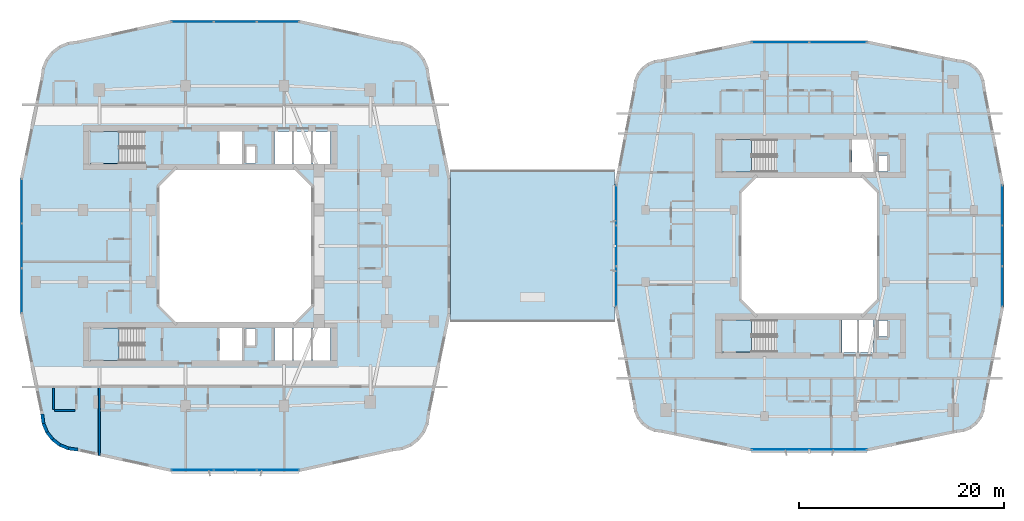
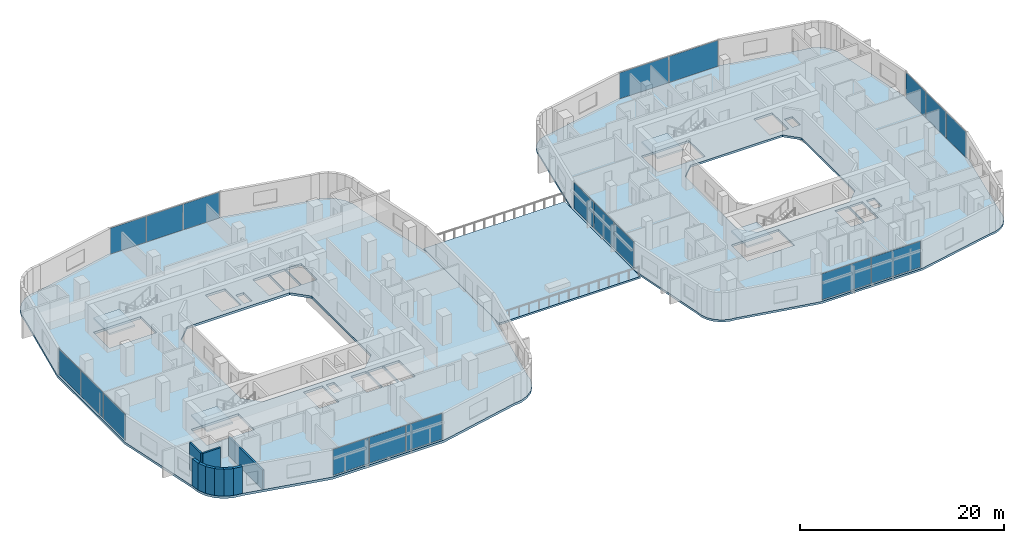
# One storey, part 11 of 25: 19 plates, 9 walls, 7 slabs, 11 elements without a shape of their own.
"""IFC4 building model written with IfcOpenShell, lengths in metres."""

from ifc_helpers import new_model, si_unit, derived_unit, direction, frame, frame_2d, origin, origin_2d, place, context, subcontext, project, spatial, polyline, rectangle, outline, extrude, material, layer, layer_set, type_object, element, aggregate, save


model = new_model("IFC4")

# Units and contexts
model_context = context("Model", 3, precision=1e-05, world=origin(), true_north=direction((0.0, 1.0)))
body_context = subcontext(model_context, "Body", "Model", "MODEL_VIEW")
ifc_project = project(units=[si_unit("LENGTHUNIT", "METRE"), si_unit("AREAUNIT", "SQUARE_METRE"), si_unit("VOLUMEUNIT", "CUBIC_METRE"), si_unit("PLANEANGLEUNIT", "RADIAN"), si_unit("MASSUNIT", "GRAM", prefix="KILO"), derived_unit("THERMALTRANSMITTANCEUNIT", [(si_unit("POWERUNIT", "WATT"), 1), (si_unit("LENGTHUNIT", "METRE"), -2), (si_unit("THERMODYNAMICTEMPERATUREUNIT", "KELVIN"), -1)])], contexts=[model_context])

# Site, building, storey
site_placement = place(None, origin())
site = spatial("IfcSite", under=ifc_project, at=site_placement, CompositionType="ELEMENT")
building_placement = place(site_placement, origin())
building = spatial("IfcBuilding", under=site, at=building_placement, Name="Kivonza Crest Hotel", CompositionType="ELEMENT")
storey_placement = place(building_placement, frame((0.0, 0.0, 24.0)))
storey = spatial("IfcBuildingStorey", under=building, at=storey_placement, Name="L05", CompositionType="ELEMENT", Elevation=24.0)

# Curtain wall, plates
ifc_material_1 = material(Name="Anodised bronze aluminium and low-E double glazing", Category="aluminium")
ifc_layer_1 = layer(ifc_material_1, 0.179931640625)
ifc_layer_set_1 = layer_set([ifc_layer_1], Name="Anodised bronze aluminium and low-E double glazing")
curtain_wall_type_1 = type_object("IfcCurtainWallType", Name="CW-SYS-2", PredefinedType="NOTDEFINED", material=ifc_layer_set_1)
curtain_wall_1_placement = place(storey_placement, origin())
curtain_wall_1 = element("IfcCurtainWall", 1, at=curtain_wall_1_placement, inside=storey, type_object=curtain_wall_type_1, Name="L05 unitised curtain wall CW-T1-L05-08", PredefinedType="NOTDEFINED")
ifc_material_2 = material(Name="Solar-control low-E double glazing", Category="glass")
ifc_layer_2 = layer(ifc_material_2, 0.028076171875)
ifc_layer_set_2 = layer_set([ifc_layer_2], Name="Solar-control low-E double glazing")
plate_type = type_object("IfcPlateType", Name="CW-PNL-28", PredefinedType="CURTAIN_PANEL", material=ifc_layer_set_2)
plate_1_placement = place(storey_placement, frame((16.890869140625, 3.159912109375, 0.06494140625), z_axis=(0.0, 0.0, 1.0), x_axis=(1.0, 0.0, 0.0)))
plate_1 = element("IfcPlate", 2, at=plate_1_placement, type_object=plate_type, Name="CW-2 panel 1.1", PredefinedType="CURTAIN_PANEL", context=body_context, shape_type="SweptSolid", body=[
    extrude(rectangle(XDim=4.06787109375, YDim=0.028076171875, at=origin_2d()), origin(), (0.0, 0.0, 1.0), 3.090087890625),
])
plate_2_placement = place(storey_placement, frame((21.0400390625, 3.159912109375, 0.06494140625), z_axis=(0.0, 0.0, 1.0), x_axis=(1.0, 0.0, 0.0)))
plate_2 = element("IfcPlate", 3, at=plate_2_placement, type_object=plate_type, Name="CW-2 panel 2.1", PredefinedType="CURTAIN_PANEL", context=body_context, shape_type="SweptSolid", body=[
    extrude(rectangle(XDim=4.100341796875, YDim=0.028076171875, at=origin_2d()), origin(), (0.0, 0.0, 1.0), 3.090087890625),
])
plate_3_placement = place(storey_placement, frame((25.18896484375, 3.159912109375, 0.06494140625), z_axis=(0.0, 0.0, 1.0), x_axis=(1.0, 0.0, 0.0)))
plate_3 = element("IfcPlate", 4, at=plate_3_placement, type_object=plate_type, Name="CW-2 panel 3.1", PredefinedType="CURTAIN_PANEL", context=body_context, shape_type="SweptSolid", body=[
    extrude(rectangle(XDim=4.06787109375, YDim=0.028076171875, at=origin_2d()), origin(), (0.0, 0.0, 1.0), 3.090087890625),
])
aggregate(curtain_wall_1, [plate_1, plate_2, plate_3])

curtain_wall_2_placement = place(storey_placement, origin())
curtain_wall_2 = element("IfcCurtainWall", 5, at=curtain_wall_2_placement, inside=storey, type_object=curtain_wall_type_1, Name="L05 unitised curtain wall CW-T1-L05-26", PredefinedType="NOTDEFINED")
plate_4_placement = place(storey_placement, frame((25.18896484375, 46.840087890625, 0.06494140625), z_axis=(0.0, 0.0, 1.0), x_axis=(-1.0, 0.0, 0.0)))
plate_4 = element("IfcPlate", 6, at=plate_4_placement, type_object=plate_type, Name="CW-2 panel 1.1", PredefinedType="CURTAIN_PANEL", context=body_context, shape_type="SweptSolid", body=[
    extrude(rectangle(XDim=4.06787109375, YDim=0.028076171875, at=origin_2d()), origin(), (0.0, 0.0, 1.0), 3.090087890625),
])
plate_5_placement = place(storey_placement, frame((21.0400390625, 46.840087890625, 0.06494140625), z_axis=(0.0, 0.0, 1.0), x_axis=(-1.0, 0.0, 0.0)))
plate_5 = element("IfcPlate", 7, at=plate_5_placement, type_object=plate_type, Name="CW-2 panel 2.1", PredefinedType="CURTAIN_PANEL", context=body_context, shape_type="SweptSolid", body=[
    extrude(rectangle(XDim=4.100341796875, YDim=0.028076171875, at=origin_2d()), origin(), (0.0, 0.0, 1.0), 3.090087890625),
])
plate_6_placement = place(storey_placement, frame((16.890869140625, 46.840087890625, 0.06494140625), z_axis=(0.0, 0.0, 1.0), x_axis=(-1.0, 0.0, 0.0)))
plate_6 = element("IfcPlate", 8, at=plate_6_placement, type_object=plate_type, Name="CW-2 panel 3.1", PredefinedType="CURTAIN_PANEL", context=body_context, shape_type="SweptSolid", body=[
    extrude(rectangle(XDim=4.06787109375, YDim=0.028076171875, at=origin_2d()), origin(), (0.0, 0.0, 1.0), 3.090087890625),
])
aggregate(curtain_wall_2, [plate_4, plate_5, plate_6])

curtain_wall_3_placement = place(storey_placement, origin())
curtain_wall_3 = element("IfcCurtainWall", 9, at=curtain_wall_3_placement, inside=storey, type_object=curtain_wall_type_1, Name="L05 unitised curtain wall CW-T1-L05-35", PredefinedType="NOTDEFINED")
plate_7_placement = place(storey_placement, frame((0.239990234375, 29.357177734375, 0.06494140625), z_axis=(0.0, 0.0, 1.0), x_axis=(0.0, -1.0, 0.0)))
plate_7 = element("IfcPlate", 10, at=plate_7_placement, type_object=plate_type, Name="CW-2 panel 1.1", PredefinedType="CURTAIN_PANEL", context=body_context, shape_type="SweptSolid", body=[
    extrude(rectangle(XDim=4.27587890625, YDim=0.028076171875, at=origin_2d()), origin(), (0.0, 0.0, 1.0), 3.090087890625),
])
plate_8_placement = place(storey_placement, frame((0.239990234375, 25.0, 0.06494140625), z_axis=(0.0, 0.0, 1.0), x_axis=(0.0, -1.0, 0.0)))
plate_8 = element("IfcPlate", 11, at=plate_8_placement, type_object=plate_type, Name="CW-2 panel 2.1", PredefinedType="CURTAIN_PANEL", context=body_context, shape_type="SweptSolid", body=[
    extrude(rectangle(XDim=4.308349609375, YDim=0.028076171875, at=origin_2d()), origin(), (0.0, 0.0, 1.0), 3.090087890625),
])
plate_9_placement = place(storey_placement, frame((0.239990234375, 20.642822265625, 0.06494140625), z_axis=(0.0, 0.0, 1.0), x_axis=(0.0, -1.0, 0.0)))
plate_9 = element("IfcPlate", 12, at=plate_9_placement, type_object=plate_type, Name="CW-2 panel 3.1", PredefinedType="CURTAIN_PANEL", context=body_context, shape_type="SweptSolid", body=[
    extrude(rectangle(XDim=4.27587890625, YDim=0.028076171875, at=origin_2d()), origin(), (0.0, 0.0, 1.0), 3.090087890625),
])
aggregate(curtain_wall_3, [plate_7, plate_8, plate_9])

ifc_layer_3 = layer(ifc_material_1, 0.179931640625)
ifc_layer_set_3 = layer_set([ifc_layer_3], Name="Anodised bronze aluminium and low-E double glazing")
curtain_wall_type_2 = type_object("IfcCurtainWallType", Name="CW-SYS-4", PredefinedType="NOTDEFINED", material=ifc_layer_set_3)
curtain_wall_4_placement = place(storey_placement, origin())
curtain_wall_4 = element("IfcCurtainWall", 13, at=curtain_wall_4_placement, inside=storey, type_object=curtain_wall_type_2, Name="L05 unitised curtain wall CW-T2-L05-08", PredefinedType="NOTDEFINED")
plate_10_placement = place(storey_placement, frame((74.15234375, 5.159912109375, 0.06494140625), z_axis=(0.0, 0.0, 1.0), x_axis=(1.0, 0.0, 0.0)))
plate_10 = element("IfcPlate", 14, at=plate_10_placement, type_object=plate_type, Name="CW-4 panel 1.1", PredefinedType="CURTAIN_PANEL", context=body_context, shape_type="SweptSolid", body=[
    extrude(rectangle(XDim=5.550537109375, YDim=0.028076171875, at=origin_2d()), origin(), (0.0, 0.0, 1.0), 3.1201171875),
])
plate_11_placement = place(storey_placement, frame((79.767822265625, 5.159912109375, 0.06494140625), z_axis=(0.0, 0.0, 1.0), x_axis=(1.0, 0.0, 0.0)))
plate_11 = element("IfcPlate", 15, at=plate_11_placement, type_object=plate_type, Name="CW-4 panel 2.1", PredefinedType="CURTAIN_PANEL", context=body_context, shape_type="SweptSolid", body=[
    extrude(rectangle(XDim=5.550537109375, YDim=0.028076171875, at=origin_2d()), origin(), (0.0, 0.0, 1.0), 3.1201171875),
])
aggregate(curtain_wall_4, [plate_10, plate_11])

curtain_wall_5_placement = place(storey_placement, origin())
curtain_wall_5 = element("IfcCurtainWall", 16, at=curtain_wall_5_placement, inside=storey, type_object=curtain_wall_type_2, Name="L05 unitised curtain wall CW-T2-L05-17", PredefinedType="NOTDEFINED")
plate_12_placement = place(storey_placement, frame((95.760009765625, 21.04296875, 0.06494140625), z_axis=(0.0, 0.0, 1.0), x_axis=(0.0, 1.0, 0.0)))
plate_12 = element("IfcPlate", 17, at=plate_12_placement, type_object=plate_type, Name="CW-4 panel 1.1", PredefinedType="CURTAIN_PANEL", context=body_context, shape_type="SweptSolid", body=[
    extrude(rectangle(XDim=3.875732421875, YDim=0.028076171875, at=origin_2d()), origin(), (0.0, 0.0, 1.0), 3.1201171875),
])
plate_13_placement = place(storey_placement, frame((95.760009765625, 25.0, 0.06494140625), z_axis=(0.0, 0.0, 1.0), x_axis=(0.0, 1.0, 0.0)))
plate_13 = element("IfcPlate", 18, at=plate_13_placement, type_object=plate_type, Name="CW-4 panel 2.1", PredefinedType="CURTAIN_PANEL", context=body_context, shape_type="SweptSolid", body=[
    extrude(rectangle(XDim=3.908447265625, YDim=0.028076171875, at=origin_2d()), origin(), (0.0, 0.0, 1.0), 3.1201171875),
])
plate_14_placement = place(storey_placement, frame((95.760009765625, 28.95703125, 0.06494140625), z_axis=(0.0, 0.0, 1.0), x_axis=(0.0, 1.0, 0.0)))
plate_14 = element("IfcPlate", 19, at=plate_14_placement, type_object=plate_type, Name="CW-4 panel 3.1", PredefinedType="CURTAIN_PANEL", context=body_context, shape_type="SweptSolid", body=[
    extrude(rectangle(XDim=3.875732421875, YDim=0.028076171875, at=origin_2d()), origin(), (0.0, 0.0, 1.0), 3.1201171875),
])
aggregate(curtain_wall_5, [plate_12, plate_13, plate_14])

curtain_wall_6_placement = place(storey_placement, origin())
curtain_wall_6 = element("IfcCurtainWall", 20, at=curtain_wall_6_placement, inside=storey, type_object=curtain_wall_type_2, Name="L05 unitised curtain wall CW-T2-L05-26", PredefinedType="NOTDEFINED")
plate_15_placement = place(storey_placement, frame((79.767822265625, 44.840087890625, 0.06494140625), z_axis=(0.0, 0.0, 1.0), x_axis=(-1.0, 0.0, 0.0)))
plate_15 = element("IfcPlate", 21, at=plate_15_placement, type_object=plate_type, Name="CW-4 panel 1.1", PredefinedType="CURTAIN_PANEL", context=body_context, shape_type="SweptSolid", body=[
    extrude(rectangle(XDim=5.550537109375, YDim=0.028076171875, at=origin_2d()), origin(), (0.0, 0.0, 1.0), 3.1201171875),
])
plate_16_placement = place(storey_placement, frame((74.15234375, 44.840087890625, 0.06494140625), z_axis=(0.0, 0.0, 1.0), x_axis=(-1.0, 0.0, 0.0)))
plate_16 = element("IfcPlate", 22, at=plate_16_placement, type_object=plate_type, Name="CW-4 panel 2.1", PredefinedType="CURTAIN_PANEL", context=body_context, shape_type="SweptSolid", body=[
    extrude(rectangle(XDim=5.550537109375, YDim=0.028076171875, at=origin_2d()), origin(), (0.0, 0.0, 1.0), 3.1201171875),
])
aggregate(curtain_wall_6, [plate_15, plate_16])

curtain_wall_7_placement = place(storey_placement, origin())
curtain_wall_7 = element("IfcCurtainWall", 23, at=curtain_wall_7_placement, inside=storey, type_object=curtain_wall_type_2, Name="L05 unitised curtain wall CW-T2-L05-35", PredefinedType="NOTDEFINED")
plate_17_placement = place(storey_placement, frame((58.159912109375, 28.95703125, 0.06494140625), z_axis=(0.0, 0.0, 1.0), x_axis=(0.0, -1.0, 0.0)))
plate_17 = element("IfcPlate", 24, at=plate_17_placement, type_object=plate_type, Name="CW-4 panel 1.1", PredefinedType="CURTAIN_PANEL", context=body_context, shape_type="SweptSolid", body=[
    extrude(rectangle(XDim=3.875732421875, YDim=0.028076171875, at=origin_2d()), origin(), (0.0, 0.0, 1.0), 3.1201171875),
])
plate_18_placement = place(storey_placement, frame((58.159912109375, 25.0, 0.06494140625), z_axis=(0.0, 0.0, 1.0), x_axis=(0.0, -1.0, 0.0)))
plate_18 = element("IfcPlate", 25, at=plate_18_placement, type_object=plate_type, Name="CW-4 panel 2.1", PredefinedType="CURTAIN_PANEL", context=body_context, shape_type="SweptSolid", body=[
    extrude(rectangle(XDim=3.908447265625, YDim=0.028076171875, at=origin_2d()), origin(), (0.0, 0.0, 1.0), 3.1201171875),
])
plate_19_placement = place(storey_placement, frame((58.159912109375, 21.04296875, 0.06494140625), z_axis=(0.0, 0.0, 1.0), x_axis=(0.0, -1.0, 0.0)))
plate_19 = element("IfcPlate", 26, at=plate_19_placement, type_object=plate_type, Name="CW-4 panel 3.1", PredefinedType="CURTAIN_PANEL", context=body_context, shape_type="SweptSolid", body=[
    extrude(rectangle(XDim=3.875732421875, YDim=0.028076171875, at=origin_2d()), origin(), (0.0, 0.0, 1.0), 3.1201171875),
])
aggregate(curtain_wall_7, [plate_17, plate_18, plate_19])

# Slab
ifc_material_3 = material(Name="Concrete C40/50", Category="concrete")
ifc_layer_4 = layer(ifc_material_3, 0.280029296875)
ifc_layer_set_4 = layer_set([ifc_layer_4], Name="Concrete C40/50")
slab_type_1 = type_object("IfcSlabType", Name="SL-HTL-280", PredefinedType="FLOOR", material=ifc_layer_set_4)
slab_1_placement = place(storey_placement, frame((0.0, 0.0, -0.280029296875)))
element("IfcSlab", 27, at=slab_1_placement, inside=storey, type_object=slab_type_1, Name="Tower T1 L05 floor slab", PredefinedType="FLOOR", context=body_context, shape_type="SweptSolid", body=[
    extrude(outline(polyline([(2.080078125, 8.60009765625), (2.202880859375, 7.66796875), (2.56201171875, 6.800048828125), (3.134033203125, 6.053955078125), (3.8798828125, 5.48193359375), (4.748046875, 5.123046875), (5.679931640625, 5.0), (14.751953125, 3.0), (27.327880859375, 3.0), (36.39990234375, 5.0), (37.33203125, 5.123046875), (38.199951171875, 5.48193359375), (38.946044921875, 6.053955078125), (39.51806640625, 6.800048828125), (39.876953125, 7.66796875), (40.0, 8.60009765625), (42.0, 18.39990234375), (42.0, 31.60009765625), (40.0, 41.39990234375), (39.876953125, 42.33203125), (39.51806640625, 43.199951171875), (38.946044921875, 43.946044921875), (38.199951171875, 44.51806640625), (37.33203125, 44.876953125), (36.39990234375, 45.0), (27.327880859375, 47.0), (14.751953125, 47.0), (5.679931640625, 45.0), (4.748046875, 44.876953125), (3.8798828125, 44.51806640625), (3.134033203125, 43.946044921875), (2.56201171875, 43.199951171875), (2.202880859375, 42.33203125), (2.080078125, 41.39990234375), (0.080078125, 31.60009765625), (0.080078125, 18.39990234375), (2.080078125, 8.60009765625)]), holes=[polyline([(15.239990234375, 17.60009765625), (26.840087890625, 17.60009765625), (28.43994140625, 19.199951171875), (28.43994140625, 30.800048828125), (26.840087890625, 32.39990234375), (15.239990234375, 32.39990234375), (13.639892578125, 30.800048828125), (13.639892578125, 19.199951171875), (15.239990234375, 17.60009765625)]), polyline([(6.800048828125, 33.02001953125), (12.159912109375, 33.02001953125), (12.159912109375, 36.159912109375), (6.800048828125, 36.159912109375), (6.800048828125, 33.02001953125)]), polyline([(6.800048828125, 13.860107421875), (12.159912109375, 13.860107421875), (12.159912109375, 17.0), (6.800048828125, 17.0), (6.800048828125, 13.860107421875)]), polyline([(22.080078125, 33.0400390625), (22.969970703125, 33.0400390625), (22.969970703125, 34.679931640625), (22.080078125, 34.679931640625), (22.080078125, 33.0400390625)]), polyline([(22.080078125, 15.320068359375), (22.969970703125, 15.320068359375), (22.969970703125, 16.9599609375), (22.080078125, 16.9599609375), (22.080078125, 15.320068359375)]), polyline([(19.5, 33.0), (21.699951171875, 33.0), (21.699951171875, 36.159912109375), (19.5, 36.159912109375), (19.5, 33.0)]), polyline([(24.860107421875, 33.0), (26.60693359375, 33.0), (26.60693359375, 36.159912109375), (24.860107421875, 36.159912109375), (24.860107421875, 33.0)]), polyline([(26.72705078125, 33.0), (28.472900390625, 33.0), (28.472900390625, 36.159912109375), (26.72705078125, 36.159912109375), (26.72705078125, 33.0)]), polyline([(28.593017578125, 33.0), (30.340087890625, 33.0), (30.340087890625, 36.159912109375), (28.593017578125, 36.159912109375), (28.593017578125, 33.0)]), polyline([(19.5, 13.840087890625), (21.699951171875, 13.840087890625), (21.699951171875, 17.0), (19.5, 17.0), (19.5, 13.840087890625)]), polyline([(24.860107421875, 13.840087890625), (26.60693359375, 13.840087890625), (26.60693359375, 17.0), (24.860107421875, 17.0), (24.860107421875, 13.840087890625)]), polyline([(26.72705078125, 13.840087890625), (28.472900390625, 13.840087890625), (28.472900390625, 17.0), (26.72705078125, 17.0), (26.72705078125, 13.840087890625)]), polyline([(28.593017578125, 13.840087890625), (30.340087890625, 13.840087890625), (30.340087890625, 17.0), (28.593017578125, 17.0), (28.593017578125, 13.840087890625)])]), origin(), (0.0, 0.0, 1.0), 0.280029296875),
])

# Stair, slab
stair_type = type_object("IfcStairType", Name="ST-DL-20R", PredefinedType="HALF_TURN_STAIR", material=ifc_material_3)
stair_1_placement = place(storey_placement, origin())
stair_1 = element("IfcStair", 28, at=stair_1_placement, inside=storey, type_object=stair_type, Name="L05 Protected Exit Stair ST-T1-N", PredefinedType="HALF_TURN_STAIR")
ifc_layer_5 = layer(ifc_material_3, 0.199951171875)
ifc_layer_set_5 = layer_set([ifc_layer_5], Name="Concrete C40/50")
slab_type_2 = type_object("IfcSlabType", Name="SL-LAND-200", PredefinedType="LANDING", material=ifc_layer_set_5)
slab_2_placement = place(storey_placement, frame((0.0, 0.0, 1.550048828125)))
slab_2 = element("IfcSlab", 29, at=slab_2_placement, type_object=slab_type_2, Name="ST-T1-N landing 1", PredefinedType="LANDING", context=body_context, shape_type="SweptSolid", body=[
    extrude(outline(polyline([(9.719970703125, 36.159912109375), (6.800048828125, 36.159912109375), (6.800048828125, 33.02001953125), (9.719970703125, 33.02001953125), (9.719970703125, 36.159912109375)])), origin(), (0.0, 0.0, 1.0), 0.199951171875),
])
aggregate(stair_1, [slab_2])

stair_2_placement = place(storey_placement, origin())
stair_2 = element("IfcStair", 30, at=stair_2_placement, inside=storey, type_object=stair_type, Name="L05 Protected Exit Stair ST-T1-S", PredefinedType="HALF_TURN_STAIR")
slab_3_placement = place(storey_placement, frame((0.0, 0.0, 1.550048828125)))
slab_3 = element("IfcSlab", 31, at=slab_3_placement, type_object=slab_type_2, Name="ST-T1-S landing 1", PredefinedType="LANDING", context=body_context, shape_type="SweptSolid", body=[
    extrude(outline(polyline([(9.719970703125, 17.0), (6.800048828125, 17.0), (6.800048828125, 13.860107421875), (9.719970703125, 13.860107421875), (9.719970703125, 17.0)])), origin(), (0.0, 0.0, 1.0), 0.199951171875),
])
aggregate(stair_2, [slab_3])

stair_3_placement = place(storey_placement, origin())
stair_3 = element("IfcStair", 32, at=stair_3_placement, inside=storey, type_object=stair_type, Name="L05 Protected Exit Stair ST-T2-N", PredefinedType="HALF_TURN_STAIR")
slab_4_placement = place(storey_placement, frame((0.0, 0.0, 1.550048828125)))
slab_4 = element("IfcSlab", 33, at=slab_4_placement, type_object=slab_type_2, Name="ST-T2-N landing 1", PredefinedType="LANDING", context=body_context, shape_type="SweptSolid", body=[
    extrude(outline(polyline([(71.320068359375, 35.360107421875), (68.39990234375, 35.360107421875), (68.39990234375, 32.219970703125), (71.320068359375, 32.219970703125), (71.320068359375, 35.360107421875)])), origin(), (0.0, 0.0, 1.0), 0.199951171875),
])
aggregate(stair_3, [slab_4])

stair_4_placement = place(storey_placement, origin())
stair_4 = element("IfcStair", 34, at=stair_4_placement, inside=storey, type_object=stair_type, Name="L05 Protected Exit Stair ST-T2-S", PredefinedType="HALF_TURN_STAIR")
slab_5_placement = place(storey_placement, frame((0.0, 0.0, 1.550048828125)))
slab_5 = element("IfcSlab", 35, at=slab_5_placement, type_object=slab_type_2, Name="ST-T2-S landing 1", PredefinedType="LANDING", context=body_context, shape_type="SweptSolid", body=[
    extrude(outline(polyline([(71.320068359375, 17.800048828125), (68.39990234375, 17.800048828125), (68.39990234375, 14.659912109375), (71.320068359375, 14.659912109375), (71.320068359375, 17.800048828125)])), origin(), (0.0, 0.0, 1.0), 0.199951171875),
])
aggregate(stair_4, [slab_5])

# Slabs
ifc_layer_6 = layer(ifc_material_3, 0.25)
ifc_layer_set_6 = layer_set([ifc_layer_6], Name="Concrete C40/50")
slab_type_3 = type_object("IfcSlabType", Name="SL-RES-250", PredefinedType="FLOOR", material=ifc_layer_set_6)
slab_6_placement = place(storey_placement, frame((0.0, 0.0, -0.25)))
element("IfcSlab", 36, at=slab_6_placement, inside=storey, type_object=slab_type_3, Name="Companion Tower T2 L05 floor slab", PredefinedType="FLOOR", context=body_context, shape_type="SweptSolid", body=[
    extrude(outline(polyline([(59.800048828125, 9.60009765625), (59.89501953125, 8.875), (60.175048828125, 8.199951171875), (60.6201171875, 7.6201171875), (61.199951171875, 7.175048828125), (61.875, 6.89501953125), (62.60009765625, 6.800048828125), (71.27197265625, 5.0), (82.64794921875, 5.0), (91.320068359375, 6.800048828125), (92.044921875, 6.89501953125), (92.719970703125, 7.175048828125), (93.300048828125, 7.6201171875), (93.7451171875, 8.199951171875), (94.02490234375, 8.875), (94.1201171875, 9.60009765625), (95.919921875, 19.0), (95.919921875, 31.0), (94.1201171875, 40.39990234375), (94.02490234375, 41.125), (93.7451171875, 41.800048828125), (93.300048828125, 42.3798828125), (92.719970703125, 42.824951171875), (92.044921875, 43.10498046875), (91.320068359375, 43.199951171875), (82.64794921875, 45.0), (71.27197265625, 45.0), (62.60009765625, 43.199951171875), (61.875, 43.10498046875), (61.199951171875, 42.824951171875), (60.6201171875, 42.3798828125), (60.175048828125, 41.800048828125), (59.89501953125, 41.125), (59.800048828125, 40.39990234375), (58.0, 31.0), (58.0, 19.0), (59.800048828125, 9.60009765625)]), holes=[polyline([(71.760009765625, 18.39990234375), (82.159912109375, 18.39990234375), (83.56005859375, 19.800048828125), (83.56005859375, 30.199951171875), (82.159912109375, 31.60009765625), (71.760009765625, 31.60009765625), (70.360107421875, 30.199951171875), (70.360107421875, 19.800048828125), (71.760009765625, 18.39990234375)]), polyline([(68.39990234375, 32.219970703125), (73.760009765625, 32.219970703125), (73.760009765625, 35.360107421875), (68.39990234375, 35.360107421875), (68.39990234375, 32.219970703125)]), polyline([(68.39990234375, 14.659912109375), (73.760009765625, 14.659912109375), (73.760009765625, 17.800048828125), (68.39990234375, 17.800048828125), (68.39990234375, 14.659912109375)]), polyline([(83.679931640625, 32.239990234375), (84.570068359375, 32.239990234375), (84.570068359375, 33.820068359375), (83.679931640625, 33.820068359375), (83.679931640625, 32.239990234375)]), polyline([(83.679931640625, 16.179931640625), (84.570068359375, 16.179931640625), (84.570068359375, 17.760009765625), (83.679931640625, 17.760009765625), (83.679931640625, 16.179931640625)]), polyline([(81.10009765625, 32.199951171875), (83.199951171875, 32.199951171875), (83.199951171875, 35.360107421875), (81.10009765625, 35.360107421875), (81.10009765625, 32.199951171875)]), polyline([(80.159912109375, 14.639892578125), (81.639892578125, 14.639892578125), (81.639892578125, 17.800048828125), (80.159912109375, 17.800048828125), (80.159912109375, 14.639892578125)]), polyline([(81.760009765625, 14.639892578125), (83.239990234375, 14.639892578125), (83.239990234375, 17.800048828125), (81.760009765625, 17.800048828125), (81.760009765625, 14.639892578125)])]), origin(), (0.0, 0.0, 1.0), 0.25),
])
ifc_layer_7 = layer(ifc_material_3, 0.219970703125)
ifc_layer_set_7 = layer_set([ifc_layer_7], Name="Concrete C40/50")
slab_type_4 = type_object("IfcSlabType", Name="SL-TERR-220", PredefinedType="FLOOR", material=ifc_layer_set_7)
slab_7_placement = place(storey_placement, frame((0.0, 0.0, -0.219970703125)))
element("IfcSlab", 37, at=slab_7_placement, inside=storey, type_object=slab_type_4, Name="L05 central podium rooftop garden terrace", PredefinedType="FLOOR", context=body_context, shape_type="SweptSolid", body=[
    extrude(outline(polyline([(42.0, 17.60009765625), (58.0, 17.60009765625), (58.0, 32.39990234375), (42.0, 32.39990234375), (42.0, 17.60009765625)])), origin(), (0.0, 0.0, 1.0), 0.219970703125),
])

# Walls
ifc_material_4 = material(Name="High-density acoustic masonry inter-tenancy wall", Category="masonry")
ifc_layer_8 = layer(ifc_material_4, 0.179931640625)
ifc_layer_set_8 = layer_set([ifc_layer_8], Name="High-density acoustic masonry inter-tenancy wall")
wall_type_1 = type_object("IfcWallType", Name="WL-ACOU-180", PredefinedType="SOLIDWALL", material=ifc_layer_set_8)
wall_1_placement = place(storey_placement, frame((7.800048828125, 4.593994140625, 0.0), z_axis=(0.0, 0.0, 1.0), x_axis=(0.0, 1.0, 0.0)))
element("IfcWall", 38, at=wall_1_placement, inside=storey, type_object=wall_type_1, Name="L05 interior partition WA-L05-T1S-DIV1", PredefinedType="SOLIDWALL", context=body_context, shape_type="SweptSolid", body=[
    extrude(rectangle(XDim=6.656005859375, YDim=0.179931640625, at=frame_2d((3.328125, 0.0))), origin(), (0.0, 0.0, 1.0), 2.294921875),
])
ifc_material_5 = material(Name="Precast concrete C40/50", Category="concrete")
ifc_layer_9 = layer(ifc_material_5, 0.300048828125)
ifc_layer_set_9 = layer_set([ifc_layer_9], Name="Precast concrete C40/50")
wall_type_2 = type_object("IfcWallType", Name="WL-EXT-300", PredefinedType="STANDARD", material=ifc_layer_set_9)
wall_2_placement = place(storey_placement, frame((2.22802734375, 8.6279296875, 0.0), z_axis=(0.0, 0.0, 1.0), x_axis=(0.131174864804, -0.991359246108, 0.0)))
element("IfcWall", 39, at=wall_2_placement, inside=storey, type_object=wall_type_2, Name="L05 T1 exterior insulated wall 1", PredefinedType="STANDARD", context=body_context, shape_type="SweptSolid", body=[
    extrude(rectangle(XDim=0.93798828125, YDim=0.300048828125, at=frame_2d((0.468994140625, 0.0))), origin(), (0.0, 0.0, 1.0), 3.219970703125),
])
wall_3_placement = place(storey_placement, frame((2.33203125, 7.748046875, 0.0), z_axis=(0.0, 0.0, 1.0), x_axis=(0.382344263057, -0.924019948111, 0.0)))
element("IfcWall", 40, at=wall_3_placement, inside=storey, type_object=wall_type_2, Name="L05 T1 exterior insulated wall 2", PredefinedType="STANDARD", context=body_context, shape_type="SweptSolid", body=[
    extrude(rectangle(XDim=0.95458984375, YDim=0.300048828125, at=frame_2d((0.477294921875, 0.0))), origin(), (0.0, 0.0, 1.0), 3.219970703125),
])
for number, where, z_axis, x_axis, name in (
    (41, (2.666015625, 6.910888671875, 0.0), (0.0, 0.0, 1.0), (0.608474481025, -0.793573440799, 0.0), "L05 T1 exterior insulated wall 3"),
    (42, (3.205078125, 6.18798828125, 0.0), (0.0, 0.0, 1.0), (0.793573440799, -0.608474481025, 0.0), "L05 T1 exterior insulated wall 4"),
):
    element("IfcWall", number, at=place(storey_placement, frame(where, z_axis=z_axis, x_axis=x_axis)), inside=storey, type_object=wall_type_2, Name=name, PredefinedType="STANDARD", context=body_context, shape_type="SweptSolid", body=[
        extrude(rectangle(XDim=0.954833984375, YDim=0.300048828125, at=frame_2d((0.4775390625, 0.0))), origin(), (0.0, 0.0, 1.0), 3.219970703125),
    ])
wall_4_placement = place(storey_placement, frame((3.9140625, 5.631103515625, 0.0), z_axis=(0.0, 0.0, 1.0), x_axis=(0.923982547689, -0.382434636986, 0.0)))
element("IfcWall", 43, at=wall_4_placement, inside=storey, type_object=wall_type_2, Name="L05 T1 exterior insulated wall 5", PredefinedType="STANDARD", context=body_context, shape_type="SweptSolid", body=[
    extrude(rectangle(XDim=0.954345703125, YDim=0.300048828125, at=frame_2d((0.47705078125, 0.0))), origin(), (0.0, 0.0, 1.0), 3.219970703125),
])
wall_5_placement = place(storey_placement, frame((4.742919921875, 5.27490234375, 0.0), z_axis=(0.0, 0.0, 1.0), x_axis=(0.99145856342, -0.130422072598, 0.0)))
element("IfcWall", 44, at=wall_5_placement, inside=storey, type_object=wall_type_2, Name="L05 T1 exterior insulated wall 6", PredefinedType="STANDARD", context=body_context, shape_type="SweptSolid", body=[
    extrude(rectangle(XDim=0.973388671875, YDim=0.300048828125, at=frame_2d((0.48681640625, 0.0))), origin(), (0.0, 0.0, 1.0), 3.219970703125),
])
ifc_material_6 = material(Name="Moisture-resistant plumbing chase partition wall", Category="gypsum")
ifc_layer_10 = layer(ifc_material_6, 0.199951171875)
ifc_layer_set_10 = layer_set([ifc_layer_10], Name="Moisture-resistant plumbing chase partition wall")
wall_type_3 = type_object("IfcWallType", Name="WL-PLUMB-200", PredefinedType="PLUMBINGWALL", material=ifc_layer_set_10)
wall_6_placement = place(storey_placement, frame((3.449951171875, 8.949951171875, 0.0), z_axis=(0.0, 0.0, 1.0), x_axis=(1.0, 0.0, 0.0)))
element("IfcWall", 45, at=wall_6_placement, inside=storey, type_object=wall_type_3, Name="L05 interior partition WW-L05-S03-BH", PredefinedType="PLUMBINGWALL", context=body_context, shape_type="SweptSolid", body=[
    extrude(rectangle(XDim=2.0, YDim=0.199951171875, at=frame_2d((1.0, 0.0))), origin(), (0.0, 0.0, 1.0), 3.219970703125),
])
wall_7_placement = place(storey_placement, frame((3.35009765625, 9.050048828125, 0.0), z_axis=(0.0, 0.0, 1.0), x_axis=(0.0, 1.0, 0.0)))
element("IfcWall", 46, at=wall_7_placement, inside=storey, type_object=wall_type_3, Name="L05 interior partition WW-L05-S03-BVW", PredefinedType="PLUMBINGWALL", context=body_context, shape_type="SweptSolid", body=[
    extrude(rectangle(XDim=2.099853515625, YDim=0.199951171875, at=frame_2d((1.0498046875, 0.0))), origin(), (0.0, 0.0, 1.0), 3.219970703125),
])

save(model, "model.ifc")
